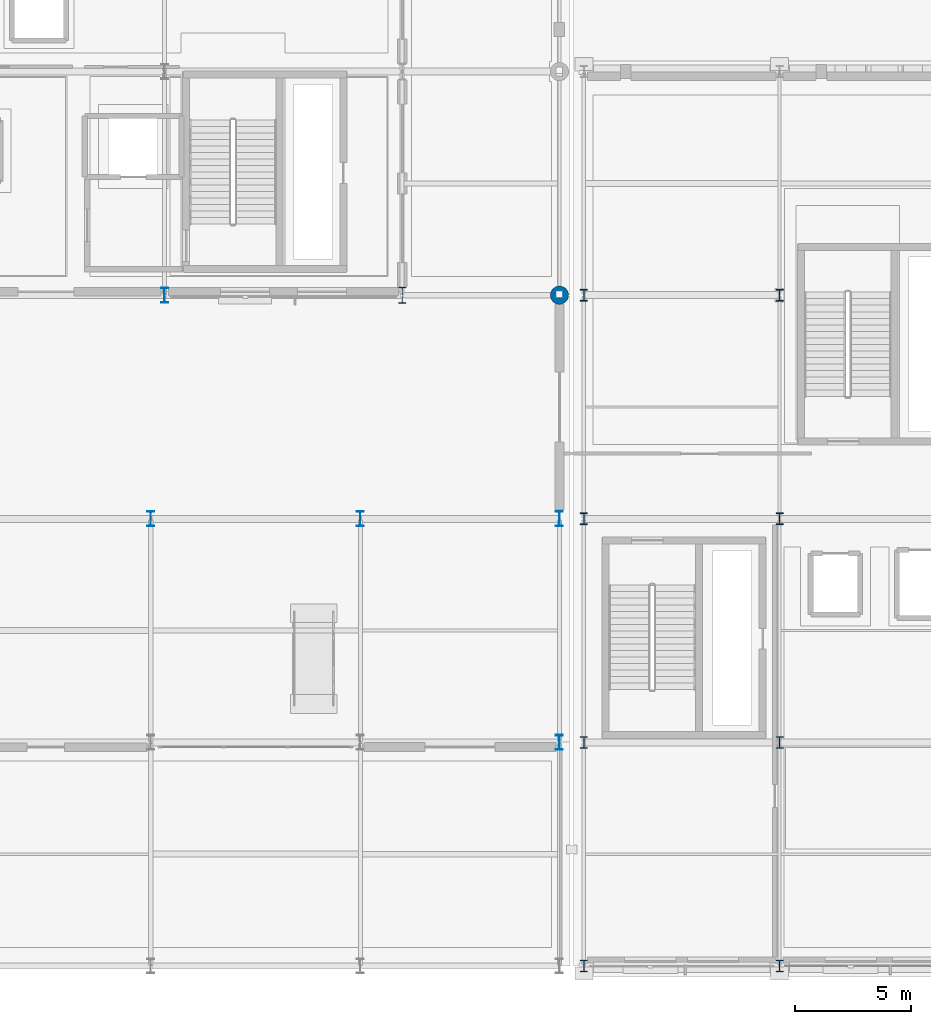
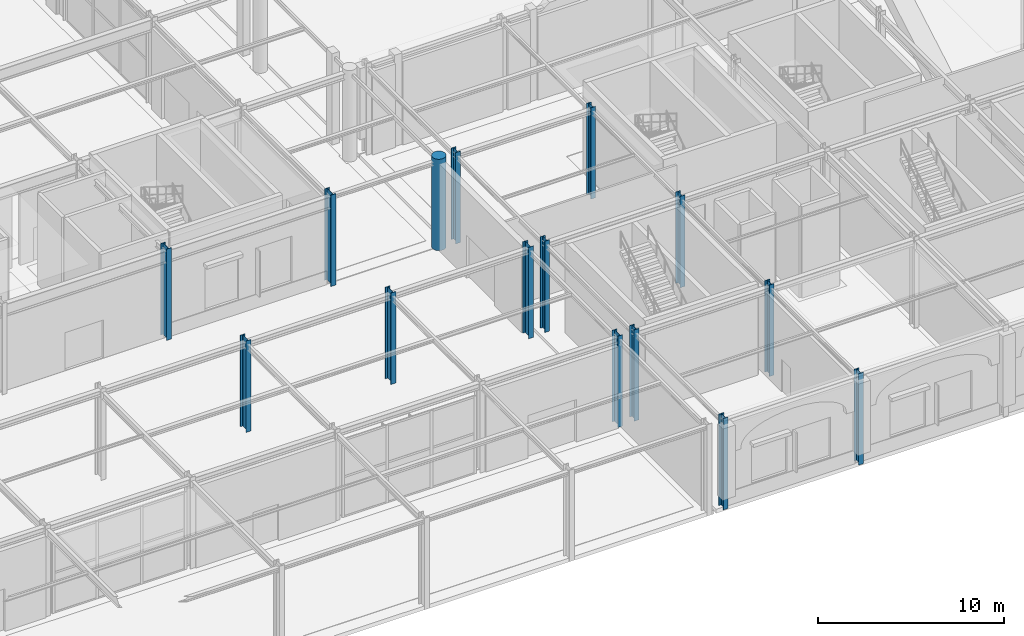
# One storey, part 7 of 113: 15 columns.
"""IFC4 building model written with IfcOpenShell, lengths in metres."""

from ifc_helpers import new_model, si_unit, direction, frame, origin, origin_2d, place, context, subcontext, project, spatial, circle, i_section, extrude, material, material_profile, profile_set, type_object, element, save


model = new_model("IFC4")

# Units and contexts
model_context = context("Model", 3, precision=1e-05, world=origin(), true_north=direction((0.0, 1.0)))
body_context = subcontext(model_context, "Body", "Model", "MODEL_VIEW")
ifc_project = project(units=[si_unit("LENGTHUNIT", "METRE"), si_unit("AREAUNIT", "SQUARE_METRE"), si_unit("VOLUMEUNIT", "CUBIC_METRE"), si_unit("PLANEANGLEUNIT", "RADIAN"), si_unit("MASSUNIT", "GRAM", prefix="KILO")], contexts=[model_context])

# Site, building, storey
site_placement = place(None, origin())
site = spatial("IfcSite", under=ifc_project, at=site_placement, CompositionType="ELEMENT")
building_placement = place(site_placement, origin())
building = spatial("IfcBuilding", under=site, at=building_placement, Name="Myrtia Square Station", CompositionType="ELEMENT")
storey_placement = place(building_placement, origin())
storey = spatial("IfcBuildingStorey", under=building, at=storey_placement, Name="L00", CompositionType="ELEMENT", Elevation=0.0)

# Columns
ifc_material_1 = material(Name="Steel S355", Category="steel")
ifc_material_profile_1 = material_profile(ifc_material_1, i_section(OverallWidth=0.300048828125, OverallDepth=0.639892578125, WebThickness=0.013427734375, FlangeThickness=0.02587890625, FilletRadius=0.027099609375, at=origin_2d()), Name="HEA 650")
ifc_profile_set_1 = profile_set([ifc_material_profile_1], Name="Steel S355")
column_type_1 = type_object("IfcColumnType", Name="COL-HEA650", PredefinedType="COLUMN", material=ifc_profile_set_1)
for number, where, z_axis, x_axis, name in (
    (1, (99.60009765625, 28.800048828125, 0.0), (0.0, 0.0, 1.0), (1.0, 0.0, 0.0), "Column L00-0450"),
    (2, (99.0, 19.199951171875, 0.0), (0.0, 0.0, 1.0), (1.0, 0.0, 0.0), "Column L00-0539"),
    (3, (108.0, 19.199951171875, 0.0), (0.0, 0.0, 1.0), (1.0, 0.0, 0.0), "Column L00-0548"),
    (4, (116.550048828125, 9.60009765625, 0.0), (0.0, 0.0, 1.0), (1.0, 0.0, 0.0), "Column L00-0554"),
    (5, (116.550048828125, 19.199951171875, 0.0), (0.0, 0.0, 1.0), (1.0, 0.0, 0.0), "Column L00-0557"),
):
    element("IfcColumn", number, at=place(storey_placement, frame(where, z_axis=z_axis, x_axis=x_axis)), inside=storey, type_object=column_type_1, Name=name, PredefinedType="COLUMN", context=body_context, shape_type="SweptSolid", body=[
        extrude(i_section(OverallWidth=0.300048828125, OverallDepth=0.639892578125, WebThickness=0.013427734375, FlangeThickness=0.02587890625, FilletRadius=0.027099609375, at=origin_2d()), origin(), (0.0, 0.0, 1.0), 6.0),
    ])
ifc_material_profile_2 = material_profile(ifc_material_1, i_section(OverallWidth=0.300048828125, OverallDepth=0.5, WebThickness=0.014404296875, FlangeThickness=0.028076171875, FilletRadius=0.027099609375, at=origin_2d()), Name="HEB 500")
ifc_profile_set_2 = profile_set([ifc_material_profile_2], Name="Steel S355")
column_type_2 = type_object("IfcColumnType", Name="COL-HEB500", PredefinedType="COLUMN", material=ifc_profile_set_2)
for number, where, z_axis, x_axis, name in (
    (6, (117.60009765625, 0.0, 0.0), (0.0, 0.0, 1.0), (1.0, 0.0, 0.0), "Column L00-0560"),
    (7, (117.60009765625, 9.60009765625, 0.0), (0.0, 0.0, 1.0), (1.0, 0.0, 0.0), "Column L00-0565"),
    (8, (117.60009765625, 19.199951171875, 0.0), (0.0, 0.0, 1.0), (1.0, 0.0, 0.0), "Column L00-0570"),
    (9, (117.60009765625, 28.800048828125, 0.0), (0.0, 0.0, 1.0), (1.0, 0.0, 0.0), "Column L00-0575"),
    (10, (126.0, 0.0, 0.0), (0.0, 0.0, 1.0), (1.0, 0.0, 0.0), "Column L00-0585"),
    (11, (126.0, 9.60009765625, 0.0), (0.0, 0.0, 1.0), (1.0, 0.0, 0.0), "Column L00-0590"),
    (12, (126.0, 19.199951171875, 0.0), (0.0, 0.0, 1.0), (1.0, 0.0, 0.0), "Column L00-0595"),
    (13, (126.0, 28.800048828125, 0.0), (0.0, 0.0, 1.0), (1.0, 0.0, 0.0), "Column L00-0600"),
):
    element("IfcColumn", number, at=place(storey_placement, frame(where, z_axis=z_axis, x_axis=x_axis)), inside=storey, type_object=column_type_2, Name=name, PredefinedType="COLUMN", context=body_context, shape_type="SweptSolid", body=[
        extrude(i_section(OverallWidth=0.300048828125, OverallDepth=0.5, WebThickness=0.014404296875, FlangeThickness=0.028076171875, FilletRadius=0.027099609375, at=origin_2d()), origin(), (0.0, 0.0, 1.0), 6.0),
    ])
ifc_material_profile_3 = material_profile(ifc_material_1, i_section(OverallWidth=0.300048828125, OverallDepth=0.699951171875, WebThickness=0.01708984375, FlangeThickness=0.031982421875, FilletRadius=0.027099609375, at=origin_2d()), Name="HEB 700")
ifc_profile_set_3 = profile_set([ifc_material_profile_3], Name="Steel S355")
column_type_3 = type_object("IfcColumnType", Name="COL-HEB700", PredefinedType="COLUMN", material=ifc_profile_set_3)
column_1_placement = place(storey_placement, frame((109.800048828125, 28.800048828125, 0.0), z_axis=(0.0, 0.0, 1.0), x_axis=(1.0, 0.0, 0.0)))
element("IfcColumn", 14, at=column_1_placement, inside=storey, type_object=column_type_3, Name="Column L00-0258", PredefinedType="COLUMN", context=body_context, shape_type="SweptSolid", body=[
    extrude(i_section(OverallWidth=0.300048828125, OverallDepth=0.699951171875, WebThickness=0.01708984375, FlangeThickness=0.031982421875, FilletRadius=0.027099609375, at=origin_2d()), origin(), (0.0, 0.0, 1.0), 6.0),
])
ifc_material_2 = material(Name="Concrete C40/50", Category="concrete")
ifc_material_profile_4 = material_profile(ifc_material_2, circle(Radius=0.389892578125, at=origin_2d()), Name="RC D780")
ifc_profile_set_4 = profile_set([ifc_material_profile_4], Name="Concrete C40/50")
column_type_4 = type_object("IfcColumnType", Name="COL-RCD780", PredefinedType="COLUMN", material=ifc_profile_set_4)
column_2_placement = place(storey_placement, frame((116.550048828125, 28.800048828125, 0.0), z_axis=(0.0, 0.0, 1.0), x_axis=(1.0, 0.0, 0.0)))
element("IfcColumn", 15, at=column_2_placement, inside=storey, type_object=column_type_4, Name="Column L00-0247", PredefinedType="COLUMN", context=body_context, shape_type="SweptSolid", body=[
    extrude(circle(Radius=0.389892578125, at=origin_2d()), origin(), (0.0, 0.0, 1.0), 6.0),
])

save(model, "model.ifc")
